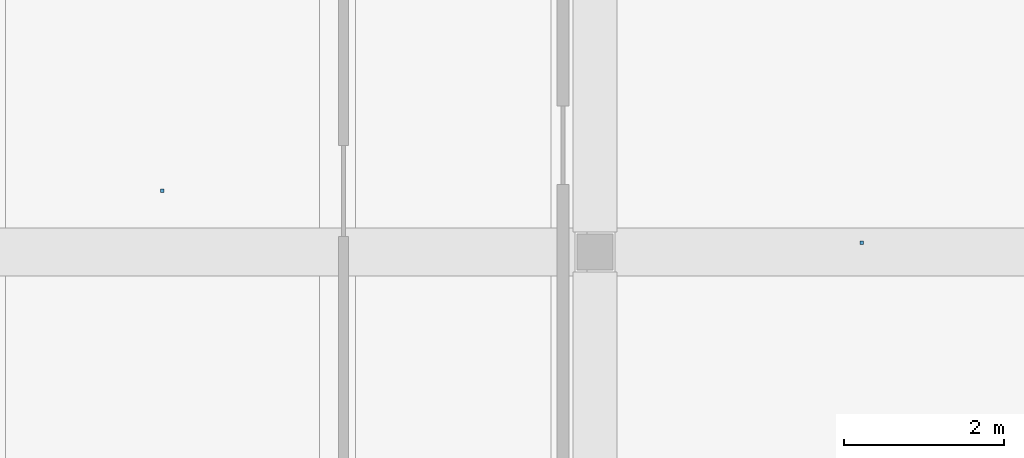
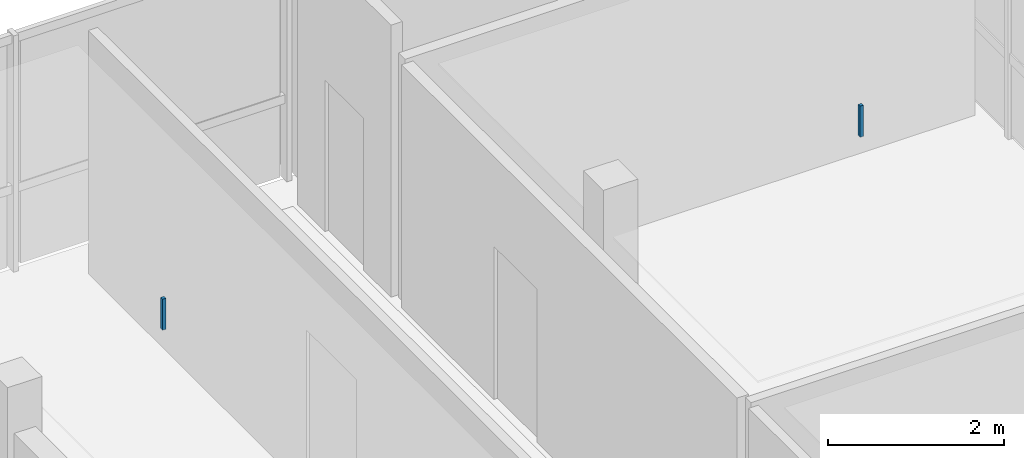
# One storey, part 76 of 86: 2 discrete accessories.
"""IFC4 building model written with IfcOpenShell, lengths in metres."""

from ifc_helpers import new_model, si_unit, derived_unit, direction, frame, origin, origin_2d, place, context, subcontext, project, spatial, rectangle, extrude, material, type_object, element, save


model = new_model("IFC4")

# Units and contexts
model_context = context("Model", 3, precision=1e-05, world=origin(), true_north=direction((0.0, 1.0)))
body_context = subcontext(model_context, "Body", "Model", "MODEL_VIEW")
ifc_project = project(units=[si_unit("LENGTHUNIT", "METRE"), si_unit("AREAUNIT", "SQUARE_METRE"), si_unit("VOLUMEUNIT", "CUBIC_METRE"), si_unit("PLANEANGLEUNIT", "RADIAN"), si_unit("MASSUNIT", "GRAM", prefix="KILO"), derived_unit("THERMALTRANSMITTANCEUNIT", [(si_unit("POWERUNIT", "WATT"), 1), (si_unit("LENGTHUNIT", "METRE"), -2), (si_unit("THERMODYNAMICTEMPERATUREUNIT", "KELVIN"), -1)])], contexts=[model_context])

# Site, building, storey
site_placement = place(None, origin())
site = spatial("IfcSite", under=ifc_project, at=site_placement, CompositionType="ELEMENT")
building_placement = place(site_placement, origin())
building = spatial("IfcBuilding", under=site, at=building_placement, Name="Braskholm Square Health Centre", CompositionType="ELEMENT")
storey_placement = place(building_placement, frame((0.0, 0.0, 13.5)))
storey = spatial("IfcBuildingStorey", under=building, at=storey_placement, Name="L04", CompositionType="ELEMENT", Elevation=13.5)

# Discrete accessories
ifc_material = material(Name="Steel ASTM A500 Grade C", Category="steel")
discrete_accessory_type = type_object("IfcDiscreteAccessoryType", Name="CeilingSuspensionBracket", PredefinedType="BRACKET", material=ifc_material)
for number, where, z_axis, x_axis, name in (
    (1, (159.93994140625, 107.114990234375, 3.35205078125), (0.0, 0.0, 1.0), (1.0, 0.0, 0.0), "Ceiling hanger bracket 0181"),
    (2, (151.18505859375, 107.764892578125, 3.35205078125), (0.0, 0.0, 1.0), (1.0, 0.0, 0.0), "Ceiling hanger bracket 0188"),
):
    element("IfcDiscreteAccessory", number, at=place(storey_placement, frame(where, z_axis=z_axis, x_axis=x_axis)), inside=storey, type_object=discrete_accessory_type, Name=name, PredefinedType="BRACKET", context=body_context, shape_type="SweptSolid", body=[
        extrude(rectangle(XDim=0.044921875, YDim=0.044921875, at=origin_2d()), origin(), (0.0, 0.0, 1.0), 0.429931640625),
    ])

save(model, "model.ifc")
